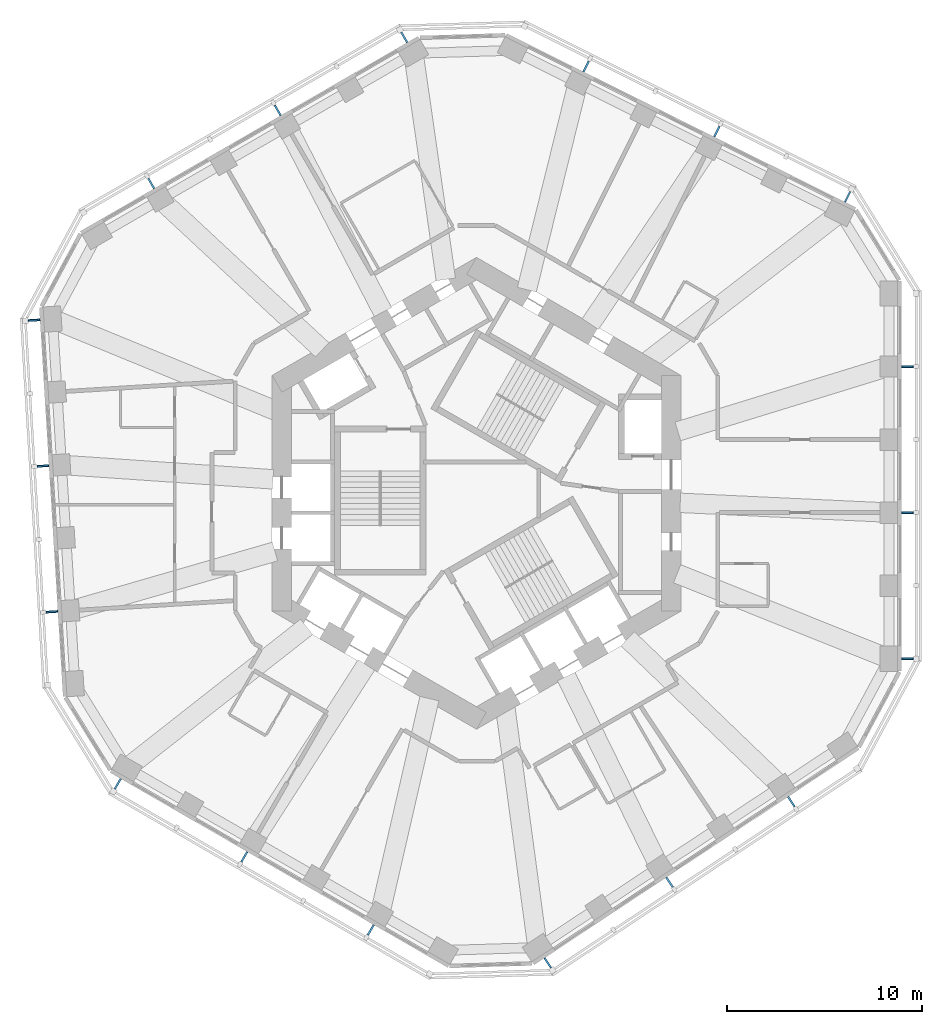
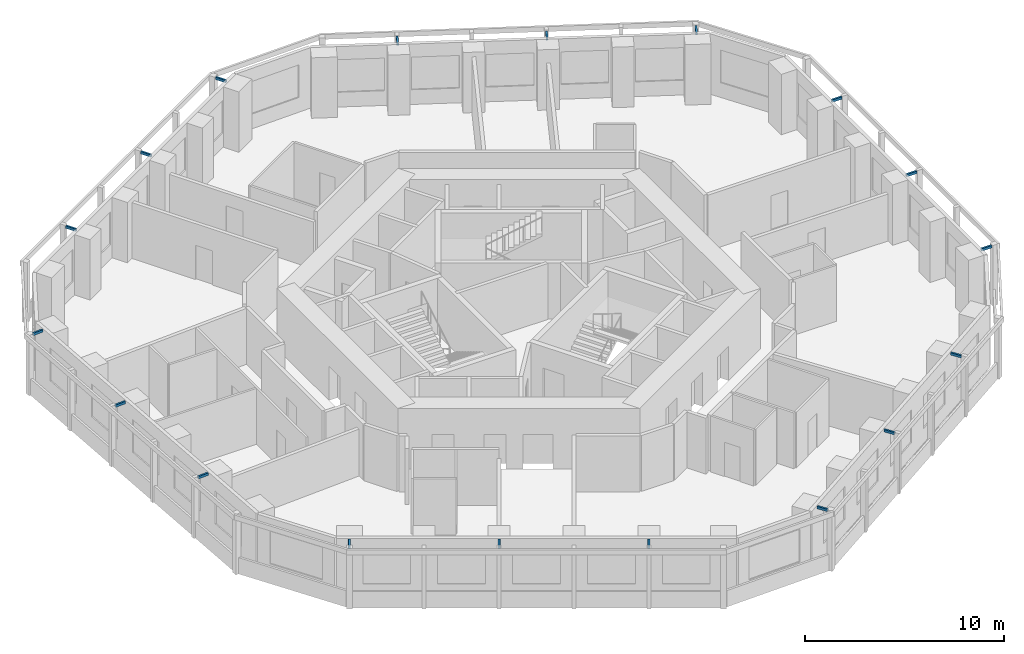
# One storey, part 10 of 11: 18 discrete accessories.
"""IFC4 building model written with IfcOpenShell, lengths in metres."""

from ifc_helpers import new_model, si_unit, direction, frame, origin, origin_2d, place, context, subcontext, project, spatial, rectangle, extrude, material, type_object, element, save


model = new_model("IFC4")

# Units and contexts
model_context = context("Model", 3, precision=1e-05, world=origin(), true_north=direction((0.0, 1.0)))
body_context = subcontext(model_context, "Body", "Model", "MODEL_VIEW")
ifc_project = project(units=[si_unit("LENGTHUNIT", "METRE"), si_unit("AREAUNIT", "SQUARE_METRE"), si_unit("VOLUMEUNIT", "CUBIC_METRE"), si_unit("PLANEANGLEUNIT", "RADIAN"), si_unit("MASSUNIT", "GRAM", prefix="KILO")], contexts=[model_context])

# Site, building, storey
site_placement = place(None, origin())
site = spatial("IfcSite", under=ifc_project, at=site_placement, CompositionType="ELEMENT")
building_placement = place(site_placement, origin())
building = spatial("IfcBuilding", under=site, at=building_placement, Name="Vanh Sen Convention Tower", CompositionType="ELEMENT")
storey_placement = place(building_placement, frame((0.0, 0.0, 150.300048828125)))
storey = spatial("IfcBuildingStorey", under=building, at=storey_placement, Name="L36", CompositionType="ELEMENT", Elevation=150.300048828125)

# Discrete accessories
ifc_material = material(Name="Steel S355", Category="steel")
discrete_accessory_type = type_object("IfcDiscreteAccessoryType", Name="Fin bracket 100 x 150", PredefinedType="BRACKET", material=ifc_material)
for number, where, z_axis, x_axis, name in (
    (1, (22.14990234375, -8.5009765625, 3.5), (0.0, 0.0, 1.0), (1.0, 0.0, 0.0), "Fin bracket E-1 L36"),
    (2, (22.14990234375, -0.992919921875, 3.5), (0.0, 0.0, 1.0), (1.0, 0.0, 0.0), "Fin bracket E-3 L36"),
    (3, (22.14990234375, 6.515380859375, 3.5), (0.0, 0.0, 1.0), (1.0, 0.0, 0.0), "Fin bracket E-5 L36"),
    (4, (19.073974609375, 15.240478515625, 3.5), (0.0, 0.0, 1.0), (0.44619781311, 0.894934361602, 0.0), "Fin bracket NE-1 L36"),
    (5, (12.3544921875, 18.5908203125, 3.5), (0.0, 0.0, 1.0), (0.44619781311, 0.894934361602, 0.0), "Fin bracket NE-3 L36"),
    (6, (5.635009765625, 21.94091796875, 3.5), (0.0, 0.0, 1.0), (0.44619781311, 0.894934361602, 0.0), "Fin bracket NE-5 L36"),
    (7, (-3.712890625, 23.432861328125, 3.5), (0.0, 0.0, 1.0), (-0.5, 0.866025403784, 0.0), "Fin bracket NW-1 L36"),
    (8, (-10.215087890625, 19.6787109375, 3.5), (0.0, 0.0, 1.0), (-0.5, 0.866025403784, 0.0), "Fin bracket NW-3 L36"),
    (9, (-16.717529296875, 15.9248046875, 3.5), (0.0, 0.0, 1.0), (-0.5, 0.866025403784, 0.0), "Fin bracket NW-5 L36"),
    (10, (-22.735595703125, 8.898193359375, 3.5), (0.0, 0.0, 1.0), (-0.998134798422, -0.061048539535, 0.0), "Fin bracket W-1 L36"),
    (11, (-22.277099609375, 1.40380859375, 3.5), (0.0, 0.0, 1.0), (-0.998134798422, -0.061048539535, 0.0), "Fin bracket W-3 L36"),
    (12, (-21.81884765625, -6.09033203125, 3.5), (0.0, 0.0, 1.0), (-0.998134798422, -0.061048539535, 0.0), "Fin bracket W-5 L36"),
    (13, (-18.43701171875, -14.931884765625, 3.5), (0.0, 0.0, 1.0), (-0.5, -0.866025403784, 0.0), "Fin bracket SW-1 L36"),
    (14, (-11.934814453125, -18.68603515625, 3.5), (0.0, 0.0, 1.0), (-0.5, -0.866025403784, 0.0), "Fin bracket SW-3 L36"),
    (15, (-5.4326171875, -22.440185546875, 3.5), (0.0, 0.0, 1.0), (-0.5, -0.866025403784, 0.0), "Fin bracket SW-5 L36"),
    (16, (3.66162109375, -24.138671875, 3.5), (0.0, 0.0, 1.0), (0.551936985312, -0.833885822067, 0.0), "Fin bracket SE-1 L36"),
    (17, (9.922607421875, -19.99462890625, 3.5), (0.0, 0.0, 1.0), (0.551936985312, -0.833885822067, 0.0), "Fin bracket SE-3 L36"),
    (18, (16.18359375, -15.8505859375, 3.5), (0.0, 0.0, 1.0), (0.551936985312, -0.833885822067, 0.0), "Fin bracket SE-5 L36"),
):
    element("IfcDiscreteAccessory", number, at=place(storey_placement, frame(where, z_axis=z_axis, x_axis=x_axis)), inside=storey, type_object=discrete_accessory_type, Name=name, PredefinedType="BRACKET", context=body_context, shape_type="SweptSolid", body=[
        extrude(rectangle(XDim=0.60009765625, YDim=0.10009765625, at=origin_2d()), origin(), (0.0, 0.0, 1.0), 0.14990234375),
    ])

save(model, "model.ifc")
